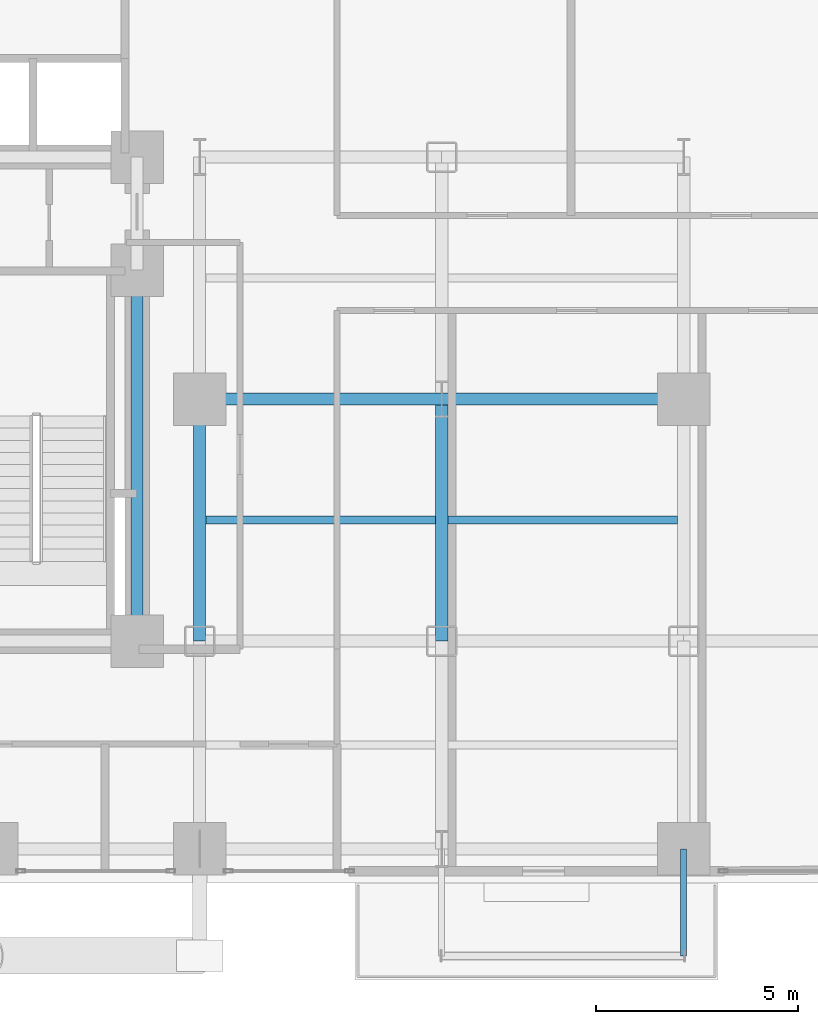
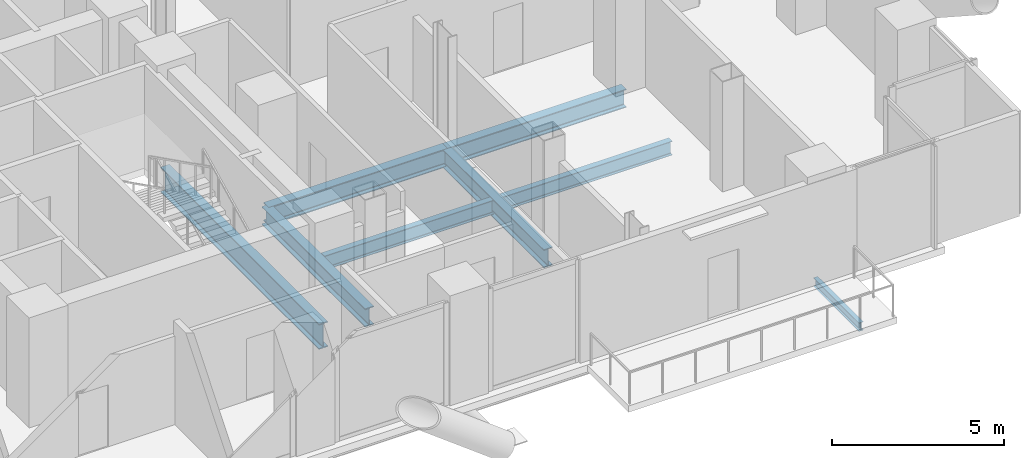
# One storey, part 9 of 27: 8 beams.
"""IFC4 building model written with IfcOpenShell, lengths in metres."""

from ifc_helpers import new_model, si_unit, direction, frame, origin, origin_2d, place, context, subcontext, project, spatial, i_section, extrude, material, material_profile, profile_set, type_object, element, save


model = new_model("IFC4")

# Units and contexts
model_context = context("Model", 3, precision=1e-05, world=origin(), true_north=direction((0.0, 1.0)))
body_context = subcontext(model_context, "Body", "Model", "MODEL_VIEW")
ifc_project = project(units=[si_unit("LENGTHUNIT", "METRE"), si_unit("AREAUNIT", "SQUARE_METRE"), si_unit("VOLUMEUNIT", "CUBIC_METRE"), si_unit("PLANEANGLEUNIT", "RADIAN"), si_unit("MASSUNIT", "GRAM", prefix="KILO"), si_unit("THERMODYNAMICTEMPERATUREUNIT", "KELVIN"), si_unit("POWERUNIT", "WATT")], contexts=[model_context])

# Site, building, storey
site_placement = place(None, origin())
site = spatial("IfcSite", under=ifc_project, at=site_placement, CompositionType="ELEMENT")
building_placement = place(site_placement, origin())
building = spatial("IfcBuilding", under=site, at=building_placement, Name="Svarakhadi Broadcast Tower", CompositionType="ELEMENT")
storey_placement = place(building_placement, frame((0.0, 0.0, 75.300048828125)))
storey = spatial("IfcBuildingStorey", under=building, at=storey_placement, Name="L17", CompositionType="ELEMENT", Elevation=75.300048828125)

# Beams
ifc_material_1 = material(Name="Steel S355J2 (IS 2062 E350C)", Category="steel")
ifc_material_profile_1 = material_profile(ifc_material_1, i_section(OverallWidth=0.199951171875, OverallDepth=0.5, WebThickness=0.01025390625, FlangeThickness=0.01611328125, FilletRadius=0.02099609375, at=origin_2d()), Name="NPB 500x200x91")
ifc_profile_set_1 = profile_set([ifc_material_profile_1], Name="Steel S355J2 (IS 2062 E350C)")
beam_type_1 = type_object("IfcBeamType", Name="Beam_NPB500", PredefinedType="BEAM", material=ifc_profile_set_1)
for number, where, z_axis, x_axis, name in (
    (1, (35.31005859375, 9.0, -0.5), (1.0, 0.0, 0.0), (0.0, 1.0, 0.0), "L17 Secondary Composite Beam SB023"),
    (2, (41.31005859375, 9.0, -0.5), (1.0, 0.0, 0.0), (0.0, 1.0, 0.0), "L17 Secondary Composite Beam SB026"),
):
    element("IfcBeam", number, at=place(storey_placement, frame(where, z_axis=z_axis, x_axis=x_axis)), inside=storey, type_object=beam_type_1, Name=name, PredefinedType="BEAM", context=body_context, shape_type="SweptSolid", body=[
        extrude(i_section(OverallWidth=0.199951171875, OverallDepth=0.5, WebThickness=0.01025390625, FlangeThickness=0.01611328125, FilletRadius=0.02099609375, at=origin_2d()), origin(), (0.0, 0.0, 1.0), 5.679931640625),
    ])
ifc_material_profile_2 = material_profile(ifc_material_1, i_section(OverallWidth=0.300048828125, OverallDepth=0.64990234375, WebThickness=0.01611328125, FlangeThickness=0.031005859375, FilletRadius=0.027099609375, at=origin_2d()), Name="WPB 650x300x225")
ifc_profile_set_2 = profile_set([ifc_material_profile_2], Name="Steel S355J2 (IS 2062 E350C)")
beam_type_2 = type_object("IfcBeamType", Name="Girder_WPB650", PredefinedType="USERDEFINED", material=ifc_profile_set_2)
for number, where, z_axis, x_axis, name in (
    (3, (35.14990234375, 12.0, -0.574951171875), (1.0, 0.0, 0.0), (0.0, 1.0, 0.0), "L17 Primary E-W Girder G023"),
    (4, (41.14990234375, 12.0, -0.574951171875), (1.0, 0.0, 0.0), (0.0, 1.0, 0.0), "L17 Primary E-W Girder G024"),
    (5, (35.14990234375, 6.0, -0.574951171875), (0.0, 1.0, 0.0), (-1.0, 0.0, 0.0), "L17 Primary N-S Girder G077"),
    (6, (41.14990234375, 6.0, -0.574951171875), (0.0, 1.0, 0.0), (-1.0, 0.0, 0.0), "L17 Primary N-S Girder G080"),
):
    element("IfcBeam", number, at=place(storey_placement, frame(where, z_axis=z_axis, x_axis=x_axis)), inside=storey, type_object=beam_type_2, Name=name, ObjectType="GIRDER", PredefinedType="USERDEFINED", context=body_context, shape_type="SweptSolid", body=[
        extrude(i_section(OverallWidth=0.300048828125, OverallDepth=0.64990234375, WebThickness=0.01611328125, FlangeThickness=0.031005859375, FilletRadius=0.027099609375, at=origin_2d()), origin(), (0.0, 0.0, 1.0), 6.0),
    ])
ifc_material_2 = material(Name="Steel S460ML (IS 2062 E450BR)", Category="steel")
ifc_material_profile_3 = material_profile(ifc_material_2, i_section(OverallWidth=0.300048828125, OverallDepth=0.89990234375, WebThickness=0.0185546875, FlangeThickness=0.034912109375, FilletRadius=0.030029296875, at=origin_2d()), Name="WPB 900x300x291")
ifc_profile_set_3 = profile_set([ifc_material_profile_3], Name="Steel S460ML (IS 2062 E450BR)")
beam_type_3 = type_object("IfcBeamType", Name="Girder_WPB900", PredefinedType="USERDEFINED", material=ifc_profile_set_3)
beam_1_placement = place(storey_placement, frame((33.60009765625, 6.0, -0.699951171875), z_axis=(0.0, 1.0, 0.0), x_axis=(-1.0, 0.0, 0.0)))
element("IfcBeam", 7, at=beam_1_placement, inside=storey, type_object=beam_type_3, Name="L17 Primary N-S Girder G074", ObjectType="GIRDER", PredefinedType="USERDEFINED", context=body_context, shape_type="SweptSolid", body=[
    extrude(i_section(OverallWidth=0.300048828125, OverallDepth=0.89990234375, WebThickness=0.0185546875, FlangeThickness=0.034912109375, FilletRadius=0.030029296875, at=origin_2d()), origin(), (0.0, 0.0, 1.0), 9.199951171875),
])
ifc_material_profile_4 = material_profile(ifc_material_1, i_section(OverallWidth=0.14990234375, OverallDepth=0.300048828125, WebThickness=0.007080078125, FlangeThickness=0.0107421875, FilletRadius=0.014892578125, at=origin_2d()), Name="NPB 300x150x37")
ifc_profile_set_4 = profile_set([ifc_material_profile_4], Name="Steel S355J2 (IS 2062 E350C)")
beam_type_4 = type_object("IfcBeamType", Name="Spandrel_NPB300", PredefinedType="SPANDREL", material=ifc_profile_set_4)
beam_2_placement = place(storey_placement, frame((47.14990234375, 0.85009765625, -0.400146484375), z_axis=(0.0, -1.0, 0.0), x_axis=(1.0, 0.0, 0.0)))
element("IfcBeam", 8, at=beam_2_placement, inside=storey, type_object=beam_type_4, Name="L17 Balcony Cantilever Bracket 1B", PredefinedType="SPANDREL", context=body_context, shape_type="SweptSolid", body=[
    extrude(i_section(OverallWidth=0.14990234375, OverallDepth=0.300048828125, WebThickness=0.007080078125, FlangeThickness=0.0107421875, FilletRadius=0.014892578125, at=origin_2d()), origin(), (0.0, 0.0, 1.0), 2.650146484375),
])

save(model, "model.ifc")
